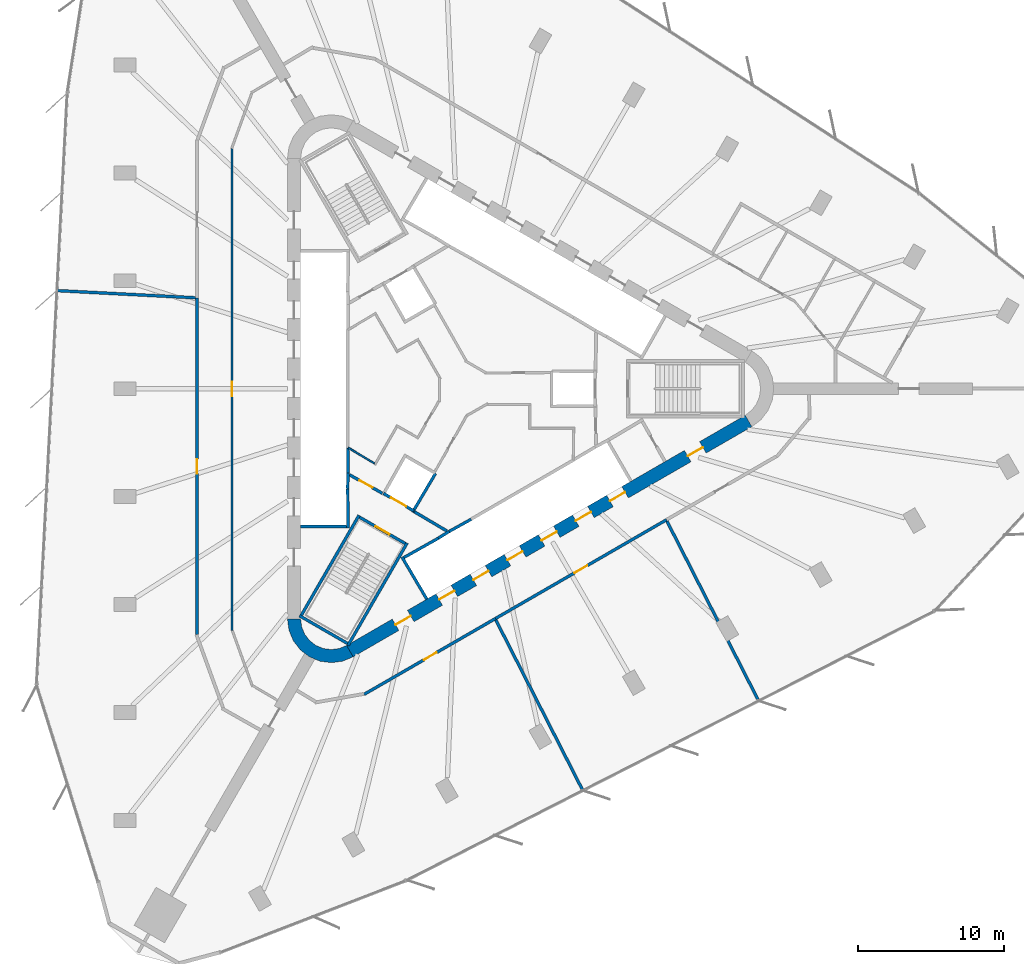
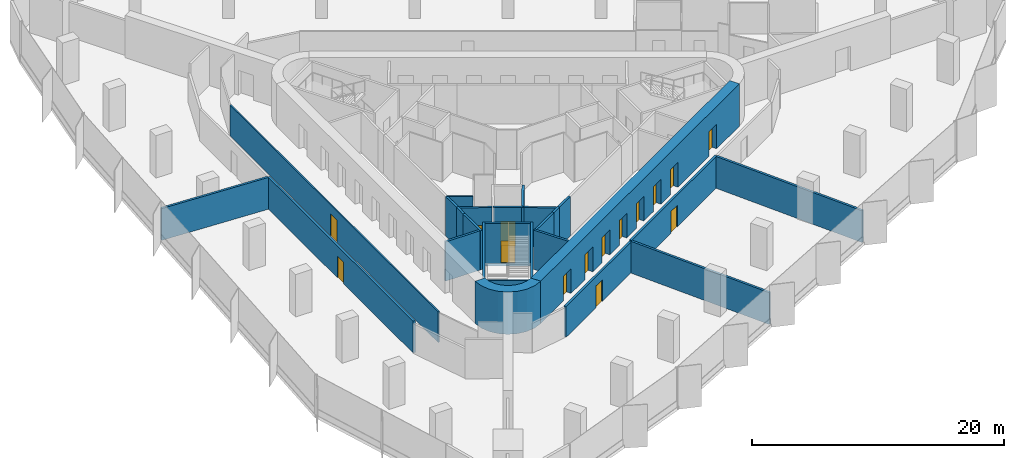
# One storey, part 9 of 14: 26 walls, 15 doors, 15 openings.
"""IFC4 building model written with IfcOpenShell, lengths in metres."""

from ifc_helpers import new_model, si_unit, direction, frame, frame_2d, origin, place, context, subcontext, project, spatial, polyline, rectangle, outline, extrude, material, layer, layer_set, type_object, element, fill, save


model = new_model("IFC4")

# Units and contexts
model_context = context("Model", 3, precision=1e-05, world=origin(), true_north=direction((0.0, 1.0)))
body_context = subcontext(model_context, "Body", "Model", "MODEL_VIEW")
ifc_project = project(units=[si_unit("LENGTHUNIT", "METRE"), si_unit("AREAUNIT", "SQUARE_METRE"), si_unit("VOLUMEUNIT", "CUBIC_METRE"), si_unit("PLANEANGLEUNIT", "RADIAN"), si_unit("MASSUNIT", "GRAM", prefix="KILO")], contexts=[model_context])

# Site, building, storey
site_placement = place(None, origin())
site = spatial("IfcSite", under=ifc_project, at=site_placement, CompositionType="ELEMENT")
building_placement = place(site_placement, origin())
building = spatial("IfcBuilding", under=site, at=building_placement, Name="Tanit Gate Tower", CompositionType="ELEMENT")
storey_placement = place(building_placement, frame((0.0, 0.0, 74.199951171875)))
storey = spatial("IfcBuildingStorey", under=building, at=storey_placement, Name="L14", CompositionType="ELEMENT", Elevation=74.199951171875)

# Wall, openings, doors
ifc_material_1 = material(Name="Concrete C60/75", Category="concrete")
ifc_layer_1 = layer(ifc_material_1, 0.89990234375)
ifc_layer_set_1 = layer_set([ifc_layer_1], Name="CORE WALL 900 C60/75")
wall_type_1 = type_object("IfcWallType", Name="CORE WALL 900 C60/75", PredefinedType="SHEAR", material=ifc_layer_set_1)
wall_1_placement = place(storey_placement, frame((-7.824951171875, -17.969970703125, 0.0), z_axis=(0.0, 0.0, 1.0), x_axis=(0.866028369851, 0.499994862586, 0.0)))
wall_1 = element("IfcWall", 1, at=wall_1_placement, inside=storey, type_object=wall_type_1, Name="CORE WALL", PredefinedType="SHEAR", context=body_context, shape_type="SweptSolid", body=[
    extrude(rectangle(XDim=31.523193359375, YDim=0.89990234375, at=frame_2d((15.76171875, 0.0))), origin(), (0.0, 0.0, 1.0), 4.10009765625),
])
opening_1_placement = place(wall_1_placement, frame((7.061767578125, 0.0, 0.0)))
opening_1 = element("IfcOpeningElement", 2, at=opening_1_placement, cuts=wall_1, Name="Opening LDSX1-S02", PredefinedType="OPENING", context=body_context, shape_type="SweptSolid", body=[
    extrude(rectangle(XDim=1.199951171875, YDim=2.39990234375, at=frame_2d((0.60009765625, 1.199951171875))), frame((0.0, 0.4599609375, 0.0), z_axis=(0.0, -1.0, 0.0), x_axis=(1.0, 0.0, 0.0)), (0.0, 0.0, 1.0), 0.919921875),
])
opening_2_placement = place(wall_1_placement, frame((9.76171875, 0.0, 0.0)))
opening_2 = element("IfcOpeningElement", 3, at=opening_2_placement, cuts=wall_1, Name="Opening LDSX2-S02", PredefinedType="OPENING", context=body_context, shape_type="SweptSolid", body=[
    extrude(rectangle(XDim=1.199951171875, YDim=2.39990234375, at=frame_2d((0.60009765625, 1.199951171875))), frame((0.0, 0.4599609375, 0.0), z_axis=(0.0, -1.0, 0.0), x_axis=(1.0, 0.0, 0.0)), (0.0, 0.0, 1.0), 0.919921875),
])
opening_3_placement = place(wall_1_placement, frame((12.461669921875, 0.0, 0.0)))
opening_3 = element("IfcOpeningElement", 4, at=opening_3_placement, cuts=wall_1, Name="Opening LDSX3-S02", PredefinedType="OPENING", context=body_context, shape_type="SweptSolid", body=[
    extrude(rectangle(XDim=1.199951171875, YDim=2.39990234375, at=frame_2d((0.60009765625, 1.199951171875))), frame((0.0, 0.4599609375, 0.0), z_axis=(0.0, -1.0, 0.0), x_axis=(1.0, 0.0, 0.0)), (0.0, 0.0, 1.0), 0.919921875),
])
opening_4_placement = place(wall_1_placement, frame((15.16162109375, 0.0, 0.0)))
opening_4 = element("IfcOpeningElement", 5, at=opening_4_placement, cuts=wall_1, Name="Opening LDSX4-S02", PredefinedType="OPENING", context=body_context, shape_type="SweptSolid", body=[
    extrude(rectangle(XDim=1.199951171875, YDim=2.39990234375, at=frame_2d((0.60009765625, 1.199951171875))), frame((0.0, 0.4599609375, 0.0), z_axis=(0.0, -1.0, 0.0), x_axis=(1.0, 0.0, 0.0)), (0.0, 0.0, 1.0), 0.919921875),
])
opening_5_placement = place(wall_1_placement, frame((17.861572265625, 0.0, 0.0)))
opening_5 = element("IfcOpeningElement", 6, at=opening_5_placement, cuts=wall_1, Name="Opening LDSV1-S02", PredefinedType="OPENING", context=body_context, shape_type="SweptSolid", body=[
    extrude(rectangle(XDim=1.199951171875, YDim=2.39990234375, at=frame_2d((0.60009765625, 1.199951171875))), frame((0.0, 0.4599609375, 0.0), z_axis=(0.0, -1.0, 0.0), x_axis=(1.0, 0.0, 0.0)), (0.0, 0.0, 1.0), 0.919921875),
])
opening_6_placement = place(wall_1_placement, frame((20.561767578125, 0.0, 0.0)))
opening_6 = element("IfcOpeningElement", 7, at=opening_6_placement, cuts=wall_1, Name="Opening LDSV2-S02", PredefinedType="OPENING", context=body_context, shape_type="SweptSolid", body=[
    extrude(rectangle(XDim=1.199951171875, YDim=2.39990234375, at=frame_2d((0.60009765625, 1.199951171875))), frame((0.0, 0.4599609375, 0.0), z_axis=(0.0, -1.0, 0.0), x_axis=(1.0, 0.0, 0.0)), (0.0, 0.0, 1.0), 0.919921875),
])
opening_7_placement = place(wall_1_placement, frame((26.711669921875, 0.0, 0.0)))
opening_7 = element("IfcOpeningElement", 8, at=opening_7_placement, cuts=wall_1, Name="Opening F12-S02-S1", PredefinedType="OPENING", context=body_context, shape_type="SweptSolid", body=[
    extrude(rectangle(XDim=1.199951171875, YDim=2.39990234375, at=frame_2d((0.60009765625, 1.199951171875))), frame((0.0, 0.4599609375, 0.0), z_axis=(0.0, -1.0, 0.0), x_axis=(1.0, 0.0, 0.0)), (0.0, 0.0, 1.0), 0.919921875),
])
opening_8_placement = place(wall_1_placement, frame((3.611572265625, 0.0, 0.0)))
opening_8 = element("IfcOpeningElement", 9, at=opening_8_placement, cuts=wall_1, Name="Opening F12-S02-FL3", PredefinedType="OPENING", context=body_context, shape_type="SweptSolid", body=[
    extrude(rectangle(XDim=1.199951171875, YDim=2.39990234375, at=frame_2d((0.60009765625, 1.199951171875))), frame((0.0, 0.4599609375, 0.0), z_axis=(0.0, -1.0, 0.0), x_axis=(1.0, 0.0, 0.0)), (0.0, 0.0, 1.0), 0.919921875),
])
ifc_material_2 = material(Name="Fire-rated steel door leaf", Category="steel")
door_type_1 = type_object("IfcDoorType", Name="INT-DOOR-FIRE-LOBBY-1200", OperationType="NOTDEFINED", PredefinedType="USERDEFINED", material=ifc_material_2)
door_1_placement = place(opening_7_placement, origin())
door_1 = element("IfcDoor", 10, at=door_1_placement, inside=storey, type_object=door_type_1, Name="Door F12-S02-S1", ObjectType="FIRE DOOR", OperationType="SINGLE_SWING_RIGHT", OverallHeight=2.39990234375, OverallWidth=1.199951171875, PredefinedType="USERDEFINED", context=body_context, shape_type="SweptSolid", body=[
    extrude(rectangle(XDim=1.199951171875, YDim=2.39990234375, at=frame_2d((0.60009765625, 1.199951171875))), frame((0.0, 0.02490234375, 0.0), z_axis=(0.0, -1.0, 0.0), x_axis=(1.0, 0.0, 0.0)), (0.0, 0.0, 1.0), 0.050048828125),
])
fill(opening_7, door_1)
door_2_placement = place(opening_8_placement, origin())
door_2 = element("IfcDoor", 11, at=door_2_placement, inside=storey, type_object=door_type_1, Name="Door F12-S02-FL3", ObjectType="FIRE DOOR", OperationType="SINGLE_SWING_LEFT", OverallHeight=2.39990234375, OverallWidth=1.199951171875, PredefinedType="USERDEFINED", context=body_context, shape_type="SweptSolid", body=[
    extrude(rectangle(XDim=1.199951171875, YDim=2.39990234375, at=frame_2d((0.60009765625, 1.199951171875))), frame((0.0, 0.02490234375, 0.0), z_axis=(0.0, -1.0, 0.0), x_axis=(1.0, 0.0, 0.0)), (0.0, 0.0, 1.0), 0.050048828125),
])
fill(opening_8, door_2)
ifc_material_3 = material(Name="Stainless steel sliding door leaf", Category="steel")
door_type_2 = type_object("IfcDoorType", Name="INT-DOOR-LANDING-1200", OperationType="NOTDEFINED", PredefinedType="USERDEFINED", material=ifc_material_3)
door_3_placement = place(opening_1_placement, origin())
door_3 = element("IfcDoor", 12, at=door_3_placement, inside=storey, type_object=door_type_2, Name="Door LDSX1-S02", ObjectType="LANDING DOOR", OperationType="SLIDING_TO_LEFT", OverallHeight=2.39990234375, OverallWidth=1.199951171875, PredefinedType="USERDEFINED", context=body_context, shape_type="SweptSolid", body=[
    extrude(rectangle(XDim=1.199951171875, YDim=2.39990234375, at=frame_2d((0.60009765625, 1.199951171875))), frame((0.0, 0.02490234375, 0.0), z_axis=(0.0, -1.0, 0.0), x_axis=(1.0, 0.0, 0.0)), (0.0, 0.0, 1.0), 0.050048828125),
])
fill(opening_1, door_3)
door_4_placement = place(opening_2_placement, origin())
door_4 = element("IfcDoor", 13, at=door_4_placement, inside=storey, type_object=door_type_2, Name="Door LDSX2-S02", ObjectType="LANDING DOOR", OperationType="SLIDING_TO_LEFT", OverallHeight=2.39990234375, OverallWidth=1.199951171875, PredefinedType="USERDEFINED", context=body_context, shape_type="SweptSolid", body=[
    extrude(rectangle(XDim=1.199951171875, YDim=2.39990234375, at=frame_2d((0.60009765625, 1.199951171875))), frame((0.0, 0.02490234375, 0.0), z_axis=(0.0, -1.0, 0.0), x_axis=(1.0, 0.0, 0.0)), (0.0, 0.0, 1.0), 0.050048828125),
])
fill(opening_2, door_4)
door_5_placement = place(opening_3_placement, origin())
door_5 = element("IfcDoor", 14, at=door_5_placement, inside=storey, type_object=door_type_2, Name="Door LDSX3-S02", ObjectType="LANDING DOOR", OperationType="SLIDING_TO_LEFT", OverallHeight=2.39990234375, OverallWidth=1.199951171875, PredefinedType="USERDEFINED", context=body_context, shape_type="SweptSolid", body=[
    extrude(rectangle(XDim=1.199951171875, YDim=2.39990234375, at=frame_2d((0.60009765625, 1.199951171875))), frame((0.0, 0.02490234375, 0.0), z_axis=(0.0, -1.0, 0.0), x_axis=(1.0, 0.0, 0.0)), (0.0, 0.0, 1.0), 0.050048828125),
])
fill(opening_3, door_5)
door_6_placement = place(opening_4_placement, origin())
door_6 = element("IfcDoor", 15, at=door_6_placement, inside=storey, type_object=door_type_2, Name="Door LDSX4-S02", ObjectType="LANDING DOOR", OperationType="SLIDING_TO_LEFT", OverallHeight=2.39990234375, OverallWidth=1.199951171875, PredefinedType="USERDEFINED", context=body_context, shape_type="SweptSolid", body=[
    extrude(rectangle(XDim=1.199951171875, YDim=2.39990234375, at=frame_2d((0.60009765625, 1.199951171875))), frame((0.0, 0.02490234375, 0.0), z_axis=(0.0, -1.0, 0.0), x_axis=(1.0, 0.0, 0.0)), (0.0, 0.0, 1.0), 0.050048828125),
])
fill(opening_4, door_6)
door_7_placement = place(opening_5_placement, origin())
door_7 = element("IfcDoor", 16, at=door_7_placement, inside=storey, type_object=door_type_2, Name="Door LDSV1-S02", ObjectType="LANDING DOOR", OperationType="SLIDING_TO_LEFT", OverallHeight=2.39990234375, OverallWidth=1.199951171875, PredefinedType="USERDEFINED", context=body_context, shape_type="SweptSolid", body=[
    extrude(rectangle(XDim=1.199951171875, YDim=2.39990234375, at=frame_2d((0.60009765625, 1.199951171875))), frame((0.0, 0.02490234375, 0.0), z_axis=(0.0, -1.0, 0.0), x_axis=(1.0, 0.0, 0.0)), (0.0, 0.0, 1.0), 0.050048828125),
])
fill(opening_5, door_7)
door_8_placement = place(opening_6_placement, origin())
door_8 = element("IfcDoor", 17, at=door_8_placement, inside=storey, type_object=door_type_2, Name="Door LDSV2-S02", ObjectType="LANDING DOOR", OperationType="SLIDING_TO_LEFT", OverallHeight=2.39990234375, OverallWidth=1.199951171875, PredefinedType="USERDEFINED", context=body_context, shape_type="SweptSolid", body=[
    extrude(rectangle(XDim=1.199951171875, YDim=2.39990234375, at=frame_2d((0.60009765625, 1.199951171875))), frame((0.0, 0.02490234375, 0.0), z_axis=(0.0, -1.0, 0.0), x_axis=(1.0, 0.0, 0.0)), (0.0, 0.0, 1.0), 0.050048828125),
])
fill(opening_6, door_8)

# Walls
wall_2_placement = place(storey_placement, origin())
element("IfcWall", 18, at=wall_2_placement, inside=storey, type_object=wall_type_1, Name="CORE WALL CORNER", PredefinedType="SHEAR", context=body_context, shape_type="SweptSolid", body=[
    extrude(outline(polyline([(-12.10009765625, -15.76171875), (-11.997802734375, -16.5380859375), (-11.697998046875, -17.26171875), (-11.22119140625, -17.883056640625), (-10.60009765625, -18.359619140625), (-9.87646484375, -18.659423828125), (-9.10009765625, -18.76171875), (-8.323486328125, -18.659423828125), (-7.60009765625, -18.359619140625), (-8.050048828125, -17.580322265625), (-8.556396484375, -17.7900390625), (-9.10009765625, -17.86181640625), (-9.6435546875, -17.7900390625), (-10.14990234375, -17.580322265625), (-10.5849609375, -17.24658203125), (-10.918701171875, -16.811767578125), (-11.12841796875, -16.30517578125), (-11.199951171875, -15.76171875), (-12.10009765625, -15.76171875)])), origin(), (0.0, 0.0, 1.0), 4.10009765625),
])
ifc_material_4 = material(Name="Fire-rated gypsum board partition")
ifc_layer_2 = layer(ifc_material_4, 0.199951171875)
ifc_layer_set_2 = layer_set([ifc_layer_2], Name="INT-WALL-COMPARTMENT")
wall_type_2 = type_object("IfcWallType", Name="INT-WALL-COMPARTMENT", PredefinedType="PARTITIONING", material=ifc_layer_set_2)
wall_3_placement = place(storey_placement, frame((-3.400634765625, -8.43017578125, 0.0), z_axis=(0.0, 0.0, 1.0), x_axis=(0.860615607571, -0.509255118781, 0.0)))
element("IfcWall", 19, at=wall_3_placement, inside=storey, type_object=wall_type_2, Name="Wall Compartment W063", PredefinedType="PARTITIONING", context=body_context, shape_type="SweptSolid", body=[
    extrude(rectangle(XDim=2.58056640625, YDim=0.199951171875, at=frame_2d((1.290283203125, 0.0))), origin(), (0.0, 0.0, 1.0), 3.800048828125),
])

# Wall, opening, door
wall_4_placement = place(storey_placement, frame((-7.849365234375, -5.893798828125, 0.0), z_axis=(0.0, 0.0, 1.0), x_axis=(0.871363259478, -0.490638431059, 0.0)))
wall_4 = element("IfcWall", 20, at=wall_4_placement, inside=storey, type_object=wall_type_2, Name="Wall Compartment W064", PredefinedType="PARTITIONING", context=body_context, shape_type="SweptSolid", body=[
    extrude(rectangle(XDim=2.5810546875, YDim=0.199951171875, at=frame_2d((1.29052734375, 0.0))), origin(), (0.0, 0.0, 1.0), 3.800048828125),
])
opening_9_placement = place(wall_4_placement, frame((0.79052734375, 0.0, 0.0)))
opening_9 = element("IfcOpeningElement", 21, at=opening_9_placement, cuts=wall_4, Name="Opening F10-S02-08", PredefinedType="OPENING", context=body_context, shape_type="SweptSolid", body=[
    extrude(rectangle(XDim=1.0, YDim=2.10009765625, at=frame_2d((0.5, 1.050048828125))), frame((0.0, 0.10986328125, 0.0), z_axis=(0.0, -1.0, 0.0), x_axis=(1.0, 0.0, 0.0)), (0.0, 0.0, 1.0), 0.219970703125),
])
ifc_material_5 = material(Name="Fire-rated steel door leaf", Category="steel")
door_type_3 = type_object("IfcDoorType", Name="INT-DOOR-FIRE-1000", OperationType="NOTDEFINED", PredefinedType="USERDEFINED", material=ifc_material_5)
door_9_placement = place(opening_9_placement, origin())
door_9 = element("IfcDoor", 22, at=door_9_placement, inside=storey, type_object=door_type_3, Name="Door F10-S02-08", ObjectType="FIRE DOOR", OperationType="SINGLE_SWING_LEFT", OverallHeight=2.10009765625, OverallWidth=1.0, PredefinedType="USERDEFINED", context=body_context, shape_type="SweptSolid", body=[
    extrude(rectangle(XDim=1.0, YDim=2.10009765625, at=frame_2d((0.5, 1.050048828125))), frame((0.0, 0.02490234375, 0.0), z_axis=(0.0, -1.0, 0.0), x_axis=(1.0, 0.0, 0.0)), (0.0, 0.0, 1.0), 0.050048828125),
])
fill(opening_9, door_9)

wall_5_placement = place(storey_placement, frame((-18.300048828125, 6.198974609375, 0.0), z_axis=(0.0, 0.0, 1.0), x_axis=(0.0, -1.0, 0.0)))
wall_5 = element("IfcWall", 23, at=wall_5_placement, inside=storey, type_object=wall_type_2, Name="Wall Compartment W090", PredefinedType="PARTITIONING", context=body_context, shape_type="SweptSolid", body=[
    extrude(rectangle(XDim=23.033203125, YDim=0.199951171875, at=frame_2d((11.5166015625, 0.0))), origin(), (0.0, 0.0, 1.0), 3.080078125),
])
opening_10_placement = place(wall_5_placement, frame((11.0166015625, 0.0, 0.0)))
opening_10 = element("IfcOpeningElement", 24, at=opening_10_placement, cuts=wall_5, Name="Opening F10-S02-19", PredefinedType="OPENING", context=body_context, shape_type="SweptSolid", body=[
    extrude(rectangle(XDim=1.0, YDim=2.10009765625, at=frame_2d((0.5, 1.050048828125))), frame((0.0, 0.10986328125, 0.0), z_axis=(0.0, -1.0, 0.0), x_axis=(1.0, 0.0, 0.0)), (0.0, 0.0, 1.0), 0.219970703125),
])
door_10_placement = place(opening_10_placement, origin())
door_10 = element("IfcDoor", 25, at=door_10_placement, inside=storey, type_object=door_type_3, Name="Door F10-S02-19", ObjectType="FIRE DOOR", OperationType="SINGLE_SWING_RIGHT", OverallHeight=2.10009765625, OverallWidth=1.0, PredefinedType="USERDEFINED", context=body_context, shape_type="SweptSolid", body=[
    extrude(rectangle(XDim=1.0, YDim=2.10009765625, at=frame_2d((0.5, 1.050048828125))), frame((0.0, 0.02490234375, 0.0), z_axis=(0.0, -1.0, 0.0), x_axis=(1.0, 0.0, 0.0)), (0.0, 0.0, 1.0), 0.050048828125),
])
fill(opening_10, door_10)

wall_6_placement = place(storey_placement, frame((-6.852294921875, -20.930419921875, 0.0), z_axis=(0.0, 0.0, 1.0), x_axis=(0.866021591072, 0.500006603753, 0.0)))
wall_6 = element("IfcWall", 26, at=wall_6_placement, inside=storey, type_object=wall_type_2, Name="Wall Compartment W106", PredefinedType="PARTITIONING", context=body_context, shape_type="SweptSolid", body=[
    extrude(rectangle(XDim=10.387451171875, YDim=0.199951171875, at=frame_2d((5.19384765625, 0.0))), origin(), (0.0, 0.0, 1.0), 2.97998046875),
])
opening_11_placement = place(wall_6_placement, frame((4.732421875, 0.0, 0.0)))
opening_11 = element("IfcOpeningElement", 27, at=opening_11_placement, cuts=wall_6, Name="Opening F10-S02-24", PredefinedType="OPENING", context=body_context, shape_type="SweptSolid", body=[
    extrude(rectangle(XDim=1.0, YDim=2.10009765625, at=frame_2d((0.5, 1.050048828125))), frame((0.0, 0.10986328125, 0.0), z_axis=(0.0, -1.0, 0.0), x_axis=(1.0, 0.0, 0.0)), (0.0, 0.0, 1.0), 0.219970703125),
])
door_11_placement = place(opening_11_placement, origin())
door_11 = element("IfcDoor", 28, at=door_11_placement, inside=storey, type_object=door_type_3, Name="Door F10-S02-24", ObjectType="FIRE DOOR", OperationType="SINGLE_SWING_RIGHT", OverallHeight=2.10009765625, OverallWidth=1.0, PredefinedType="USERDEFINED", context=body_context, shape_type="SweptSolid", body=[
    extrude(rectangle(XDim=1.0, YDim=2.10009765625, at=frame_2d((0.5, 1.050048828125))), frame((0.0, 0.02490234375, 0.0), z_axis=(0.0, -1.0, 0.0), x_axis=(1.0, 0.0, 0.0)), (0.0, 0.0, 1.0), 0.050048828125),
])
fill(opening_11, door_11)

wall_7_placement = place(storey_placement, frame((2.1435546875, -15.736572265625, 0.0), z_axis=(0.0, 0.0, 1.0), x_axis=(0.866019431537, 0.500010344094, 0.0)))
wall_7 = element("IfcWall", 29, at=wall_7_placement, inside=storey, type_object=wall_type_2, Name="Wall Compartment W105", PredefinedType="PARTITIONING", context=body_context, shape_type="SweptSolid", body=[
    extrude(rectangle(XDim=13.531494140625, YDim=0.199951171875, at=frame_2d((6.765625, 0.0))), origin(), (0.0, 0.0, 1.0), 3.080078125),
])
opening_12_placement = place(wall_7_placement, frame((6.25439453125, 0.0, 0.0)))
opening_12 = element("IfcOpeningElement", 30, at=opening_12_placement, cuts=wall_7, Name="Opening F10-S02-23", PredefinedType="OPENING", context=body_context, shape_type="SweptSolid", body=[
    extrude(rectangle(XDim=1.0, YDim=2.10009765625, at=frame_2d((0.5, 1.050048828125))), frame((0.0, 0.10986328125, 0.0), z_axis=(0.0, -1.0, 0.0), x_axis=(1.0, 0.0, 0.0)), (0.0, 0.0, 1.0), 0.219970703125),
])
door_12_placement = place(opening_12_placement, origin())
door_12 = element("IfcDoor", 31, at=door_12_placement, inside=storey, type_object=door_type_3, Name="Door F10-S02-23", ObjectType="FIRE DOOR", OperationType="SINGLE_SWING_RIGHT", OverallHeight=2.10009765625, OverallWidth=1.0, PredefinedType="USERDEFINED", context=body_context, shape_type="SweptSolid", body=[
    extrude(rectangle(XDim=1.0, YDim=2.10009765625, at=frame_2d((0.5, 1.050048828125))), frame((0.0, 0.02490234375, 0.0), z_axis=(0.0, -1.0, 0.0), x_axis=(1.0, 0.0, 0.0)), (0.0, 0.0, 1.0), 0.050048828125),
])
fill(opening_12, door_12)

# Walls
wall_8_placement = place(storey_placement, frame((-18.39990234375, 6.226806640625, 0.0), z_axis=(0.0, 0.0, 1.0), x_axis=(-0.998654739652, 0.051852781702, 0.0)))
element("IfcWall", 32, at=wall_8_placement, inside=storey, type_object=wall_type_2, Name="Wall Compartment W109", PredefinedType="PARTITIONING", context=body_context, shape_type="SweptSolid", body=[
    extrude(rectangle(XDim=9.491943359375, YDim=0.199951171875, at=frame_2d((4.74609375, 0.0))), origin(), (0.0, 0.0, 1.0), 3.080078125),
])
wall_9_placement = place(storey_placement, frame((13.887939453125, -9.0712890625, 0.0), z_axis=(0.0, 0.0, 1.0), x_axis=(0.454417909926, -0.890788618663, 0.0)))
element("IfcWall", 33, at=wall_9_placement, inside=storey, type_object=wall_type_2, Name="Wall Compartment W123", PredefinedType="PARTITIONING", context=body_context, shape_type="SweptSolid", body=[
    extrude(rectangle(XDim=13.79833984375, YDim=0.199951171875, at=frame_2d((6.899169921875, 0.0))), origin(), (0.0, 0.0, 1.0), 3.080078125),
])
wall_10_placement = place(storey_placement, frame((8.12060546875, -27.50341796875, 0.0), z_axis=(0.0, 0.0, 1.0), x_axis=(-0.454409665836, 0.890792824171, 0.0)))
element("IfcWall", 34, at=wall_10_placement, inside=storey, type_object=wall_type_2, Name="Wall Compartment W124", PredefinedType="PARTITIONING", context=body_context, shape_type="SweptSolid", body=[
    extrude(rectangle(XDim=13.096435546875, YDim=0.199951171875, at=frame_2d((6.54833984375, 0.0))), origin(), (0.0, 0.0, 1.0), 3.080078125),
])
ifc_material_6 = material(Name="Gypsum board partition")
ifc_layer_3 = layer(ifc_material_6, 0.1201171875)
ifc_layer_set_3 = layer_set([ifc_layer_3], Name="INT-WALL-PARTITION")
wall_type_3 = type_object("IfcWallType", Name="INT-WALL-PARTITION", PredefinedType="PARTITIONING", material=ifc_layer_set_3)
wall_11_placement = place(storey_placement, frame((-7.949951171875, -4.041015625, 0.0), z_axis=(0.0, 0.0, 1.0), x_axis=(0.860112457103, -0.510104461004, 0.0)))
element("IfcWall", 35, at=wall_11_placement, inside=storey, type_object=wall_type_3, Name="Wall Partition W082", PredefinedType="PARTITIONING", context=body_context, shape_type="SweptSolid", body=[
    extrude(rectangle(XDim=2.1044921875, YDim=0.1201171875, at=frame_2d((1.05224609375, 0.0))), origin(), (0.0, 0.0, 1.0), 3.800048828125),
])

# Wall, opening, door
wall_12_placement = place(storey_placement, frame((-15.89990234375, 16.451171875, 0.0), z_axis=(0.0, 0.0, 1.0), x_axis=(0.0, -1.0, 0.0)))
wall_12 = element("IfcWall", 36, at=wall_12_placement, inside=storey, type_object=wall_type_3, Name="Wall Partition W085", PredefinedType="PARTITIONING", context=body_context, shape_type="SweptSolid", body=[
    extrude(rectangle(XDim=33.022216796875, YDim=0.1201171875, at=frame_2d((16.51123046875, 0.0))), origin(), (0.0, 0.0, 1.0), 2.97998046875),
])
opening_13_placement = place(wall_12_placement, frame((15.981201171875, 0.0, 0.0)))
opening_13 = element("IfcOpeningElement", 37, at=opening_13_placement, cuts=wall_12, Name="Opening D10-S02-14", PredefinedType="OPENING", context=body_context, shape_type="SweptSolid", body=[
    extrude(rectangle(XDim=1.0, YDim=2.10009765625, at=frame_2d((0.5, 1.050048828125))), frame((0.0, 0.070068359375, 0.0), z_axis=(0.0, -1.0, 0.0), x_axis=(1.0, 0.0, 0.0)), (0.0, 0.0, 1.0), 0.14013671875),
])
ifc_material_7 = material(Name="Timber door leaf", Category="wood")
door_type_4 = type_object("IfcDoorType", Name="INT-DOOR-SINGLE-1000", OperationType="NOTDEFINED", PredefinedType="NOTDEFINED", material=ifc_material_7)
door_13_placement = place(opening_13_placement, origin())
door_13 = element("IfcDoor", 38, at=door_13_placement, inside=storey, type_object=door_type_4, Name="Door D10-S02-14", OperationType="SINGLE_SWING_RIGHT", OverallHeight=2.10009765625, OverallWidth=1.0, PredefinedType="NOTDEFINED", context=body_context, shape_type="SweptSolid", body=[
    extrude(rectangle(XDim=1.0, YDim=2.10009765625, at=frame_2d((0.5, 1.050048828125))), frame((0.0, 0.02490234375, 0.0), z_axis=(0.0, -1.0, 0.0), x_axis=(1.0, 0.0, 0.0)), (0.0, 0.0, 1.0), 0.050048828125),
])
fill(opening_13, door_13)

# Walls
ifc_material_8 = material(Name="Gypsum shaft wall system")
ifc_layer_4 = layer(ifc_material_8, 0.199951171875)
ifc_layer_set_4 = layer_set([ifc_layer_4], Name="INT-WALL-SHAFT")
wall_type_4 = type_object("IfcWallType", Name="INT-WALL-SHAFT", PredefinedType="PLUMBINGWALL", material=ifc_layer_set_4)
wall_13_placement = place(storey_placement, frame((-7.949951171875, -5.7724609375, 0.0), z_axis=(0.0, 0.0, 1.0), x_axis=(-0.030803413295, -0.999525462272, 0.0)))
element("IfcWall", 39, at=wall_13_placement, inside=storey, type_object=wall_type_4, Name="Wall Shaft W009", PredefinedType="PLUMBINGWALL", context=body_context, shape_type="SweptSolid", body=[
    extrude(rectangle(XDim=1.077880859375, YDim=0.199951171875, at=frame_2d((0.5390625, 0.0))), origin(), (0.0, 0.0, 1.0), 3.800048828125),
])
wall_14_placement = place(storey_placement, frame((-7.971435546875, -4.050048828125, 0.0), z_axis=(0.0, 0.0, 1.0), x_axis=(0.012042535896, -0.999927486035, 0.0)))
element("IfcWall", 40, at=wall_14_placement, inside=storey, type_object=wall_type_4, Name="Wall Shaft W010", PredefinedType="PLUMBINGWALL", context=body_context, shape_type="SweptSolid", body=[
    extrude(rectangle(XDim=1.844970703125, YDim=0.199951171875, at=frame_2d((0.92236328125, 0.0))), origin(), (0.0, 0.0, 1.0), 3.800048828125),
])
wall_15_placement = place(storey_placement, frame((-7.97900390625, -6.85009765625, 0.0), z_axis=(0.0, 0.0, 1.0), x_axis=(0.011121475088, -0.999938154483, 0.0)))
element("IfcWall", 41, at=wall_15_placement, inside=storey, type_object=wall_type_4, Name="Wall Shaft W011", PredefinedType="PLUMBINGWALL", context=body_context, shape_type="SweptSolid", body=[
    extrude(rectangle(XDim=2.7001953125, YDim=0.199951171875, at=frame_2d((1.35009765625, 0.0))), origin(), (0.0, 0.0, 1.0), 3.800048828125),
])
wall_16_placement = place(storey_placement, frame((-8.050048828125, -9.448974609375, 0.0), z_axis=(0.0, 0.0, 1.0), x_axis=(-0.999957467379, 0.009222983926, 0.0)))
element("IfcWall", 42, at=wall_16_placement, inside=storey, type_object=wall_type_4, Name="Wall Shaft W012", PredefinedType="PLUMBINGWALL", context=body_context, shape_type="SweptSolid", body=[
    extrude(rectangle(XDim=3.150146484375, YDim=0.199951171875, at=frame_2d((1.5751953125, 0.0))), origin(), (0.0, 0.0, 1.0), 3.800048828125),
])
wall_17_placement = place(storey_placement, frame((-2.557861328125, -14.409423828125, 0.0), z_axis=(0.0, 0.0, 1.0), x_axis=(-0.507997497166, 0.861358544901, 0.0)))
element("IfcWall", 43, at=wall_17_placement, inside=storey, type_object=wall_type_4, Name="Wall Shaft W027", PredefinedType="PLUMBINGWALL", context=body_context, shape_type="SweptSolid", body=[
    extrude(rectangle(XDim=3.350341796875, YDim=0.199951171875, at=frame_2d((1.67529296875, 0.0))), origin(), (0.0, 0.0, 1.0), 3.800048828125),
])
wall_18_placement = place(storey_placement, frame((-1.7685546875, -10.23681640625, 0.0), z_axis=(0.0, 0.0, 1.0), x_axis=(-0.871534483978, -0.490334215854, 0.0)))
element("IfcWall", 44, at=wall_18_placement, inside=storey, type_object=wall_type_4, Name="Wall Shaft W028", PredefinedType="PLUMBINGWALL", context=body_context, shape_type="SweptSolid", body=[
    extrude(rectangle(XDim=2.7001953125, YDim=0.199951171875, at=frame_2d((1.35009765625, 0.0))), origin(), (0.0, 0.0, 1.0), 3.800048828125),
])
wall_19_placement = place(storey_placement, frame((-1.02392578125, -9.77099609375, 0.0), z_axis=(0.0, 0.0, 1.0), x_axis=(-0.850348075135, -0.526220629693, 0.0)))
element("IfcWall", 45, at=wall_19_placement, inside=storey, type_object=wall_type_4, Name="Wall Shaft W029", PredefinedType="PLUMBINGWALL", context=body_context, shape_type="SweptSolid", body=[
    extrude(rectangle(XDim=0.878173828125, YDim=0.199951171875, at=frame_2d((0.43896484375, 0.0))), origin(), (0.0, 0.0, 1.0), 3.800048828125),
])
wall_20_placement = place(storey_placement, frame((-1.130126953125, -9.831298828125, 0.0), z_axis=(0.0, 0.0, 1.0), x_axis=(0.874269620932, 0.485440655401, 0.0)))
element("IfcWall", 46, at=wall_20_placement, inside=storey, type_object=wall_type_4, Name="Wall Shaft W030", PredefinedType="PLUMBINGWALL", context=body_context, shape_type="SweptSolid", body=[
    extrude(rectangle(XDim=1.8447265625, YDim=0.199951171875, at=frame_2d((0.92236328125, 0.0))), origin(), (0.0, 0.0, 1.0), 3.800048828125),
])

# Wall, opening, door
wall_21_placement = place(storey_placement, frame((-3.44580078125, -8.3681640625, 0.0), z_axis=(0.0, 0.0, 1.0), x_axis=(-0.866024647952, 0.500001309137, 0.0)))
wall_21 = element("IfcWall", 47, at=wall_21_placement, inside=storey, type_object=wall_type_4, Name="Wall Shaft W053", PredefinedType="PLUMBINGWALL", context=body_context, shape_type="SweptSolid", body=[
    extrude(rectangle(XDim=2.39990234375, YDim=0.199951171875, at=frame_2d((1.199951171875, 0.0))), origin(), (0.0, 0.0, 1.0), 3.800048828125),
])
opening_14_placement = place(wall_21_placement, frame((0.60009765625, 0.0, 0.0)))
opening_14 = element("IfcOpeningElement", 48, at=opening_14_placement, cuts=wall_21, Name="Opening LDFL3-L14", PredefinedType="OPENING", context=body_context, shape_type="SweptSolid", body=[
    extrude(rectangle(XDim=1.199951171875, YDim=2.39990234375, at=frame_2d((0.60009765625, 1.199951171875))), frame((0.0, 0.10986328125, 0.0), z_axis=(0.0, -1.0, 0.0), x_axis=(1.0, 0.0, 0.0)), (0.0, 0.0, 1.0), 0.219970703125),
])
door_14_placement = place(opening_14_placement, origin())
door_14 = element("IfcDoor", 49, at=door_14_placement, inside=storey, type_object=door_type_2, Name="Door LDFL3-L14", ObjectType="LANDING DOOR", OperationType="SLIDING_TO_LEFT", OverallHeight=2.39990234375, OverallWidth=1.199951171875, PredefinedType="USERDEFINED", context=body_context, shape_type="SweptSolid", body=[
    extrude(rectangle(XDim=1.199951171875, YDim=2.39990234375, at=frame_2d((0.60009765625, 1.199951171875))), frame((0.0, 0.02490234375, 0.0), z_axis=(0.0, -1.0, 0.0), x_axis=(1.0, 0.0, 0.0)), (0.0, 0.0, 1.0), 0.050048828125),
])
fill(opening_14, door_14)

# Walls
wall_22_placement = place(storey_placement, frame((-1.960693359375, -5.796142578125, 0.0), z_axis=(0.0, 0.0, 1.0), x_axis=(-0.508647062354, -0.860975125052, 0.0)))
element("IfcWall", 50, at=wall_22_placement, inside=storey, type_object=wall_type_4, Name="Wall Shaft W054", PredefinedType="PLUMBINGWALL", context=body_context, shape_type="SweptSolid", body=[
    extrude(rectangle(XDim=3.10009765625, YDim=0.199951171875, at=frame_2d((1.550048828125, 0.0))), origin(), (0.0, 0.0, 1.0), 3.800048828125),
])
ifc_material_9 = material(Name="Concrete C40/50", Category="concrete")
ifc_layer_5 = layer(ifc_material_9, 0.199951171875)
ifc_layer_set_5 = layer_set([ifc_layer_5], Name="INT-WALL-STAIR")
wall_type_5 = type_object("IfcWallType", Name="INT-WALL-STAIR", PredefinedType="SHEAR", material=ifc_layer_set_5)
wall_23_placement = place(storey_placement, frame((-3.904541015625, -10.56298828125, -0.300048828125), z_axis=(0.0, 0.0, 1.0), x_axis=(-0.500012932018, -0.866017937352, 0.0)))
element("IfcWall", 51, at=wall_23_placement, inside=storey, type_object=wall_type_5, Name="Wall Stair W049", PredefinedType="SHEAR", context=body_context, shape_type="SweptSolid", body=[
    extrude(rectangle(XDim=8.099853515625, YDim=0.199951171875, at=frame_2d((4.0498046875, 0.0))), origin(), (0.0, 0.0, 1.0), 4.10009765625),
])
wall_24_placement = place(storey_placement, frame((-11.281982421875, -15.541015625, -0.300048828125), z_axis=(0.0, 0.0, 1.0), x_axis=(0.866000483506, -0.500043160704, 0.0)))
element("IfcWall", 52, at=wall_24_placement, inside=storey, type_object=wall_type_5, Name="Wall Stair W050", PredefinedType="SHEAR", context=body_context, shape_type="SweptSolid", body=[
    extrude(rectangle(XDim=3.800048828125, YDim=0.199951171875, at=frame_2d((1.89990234375, 0.0))), origin(), (0.0, 0.0, 1.0), 4.10009765625),
])
wall_25_placement = place(storey_placement, frame((-7.195556640625, -8.662841796875, -0.300048828125), z_axis=(0.0, 0.0, 1.0), x_axis=(-0.499997992926, -0.866026562566, 0.0)))
element("IfcWall", 53, at=wall_25_placement, inside=storey, type_object=wall_type_5, Name="Wall Stair W051", PredefinedType="SHEAR", context=body_context, shape_type="SweptSolid", body=[
    extrude(rectangle(XDim=7.89990234375, YDim=0.199951171875, at=frame_2d((3.949951171875, 0.0))), origin(), (0.0, 0.0, 1.0), 4.10009765625),
])

# Wall, opening, door
wall_26_placement = place(storey_placement, frame((-4.041259765625, -10.599365234375, -0.300048828125), z_axis=(0.0, 0.0, 1.0), x_axis=(-0.866047807691, 0.499961193289, 0.0)))
wall_26 = element("IfcWall", 54, at=wall_26_placement, inside=storey, type_object=wall_type_5, Name="Wall Stair W052", PredefinedType="SHEAR", context=body_context, shape_type="SweptSolid", body=[
    extrude(rectangle(XDim=3.599853515625, YDim=0.199951171875, at=frame_2d((1.7998046875, 0.0))), origin(), (0.0, 0.0, 1.0), 4.10009765625),
])
opening_15_placement = place(wall_26_placement, frame((1.25, 0.0, 0.300048828125)))
opening_15 = element("IfcOpeningElement", 55, at=opening_15_placement, cuts=wall_26, Name="Opening S11-S02-07", PredefinedType="OPENING", context=body_context, shape_type="SweptSolid", body=[
    extrude(rectangle(XDim=1.10009765625, YDim=2.10009765625, at=frame_2d((0.550048828125, 1.050048828125))), frame((0.0, 0.10986328125, 0.0), z_axis=(0.0, -1.0, 0.0), x_axis=(1.0, 0.0, 0.0)), (0.0, 0.0, 1.0), 0.219970703125),
])
ifc_material_10 = material(Name="Timber door leaf", Category="wood")
door_type_5 = type_object("IfcDoorType", Name="INT-DOOR-STAIR-1100", OperationType="NOTDEFINED", PredefinedType="USERDEFINED", material=ifc_material_10)
door_15_placement = place(opening_15_placement, origin())
door_15 = element("IfcDoor", 56, at=door_15_placement, inside=storey, type_object=door_type_5, Name="Door S11-S02-07", ObjectType="FIRE DOOR", OperationType="SINGLE_SWING_LEFT", OverallHeight=2.10009765625, OverallWidth=1.10009765625, PredefinedType="USERDEFINED", context=body_context, shape_type="SweptSolid", body=[
    extrude(rectangle(XDim=1.10009765625, YDim=2.10009765625, at=frame_2d((0.550048828125, 1.050048828125))), frame((0.0, 0.02490234375, 0.0), z_axis=(0.0, -1.0, 0.0), x_axis=(1.0, 0.0, 0.0)), (0.0, 0.0, 1.0), 0.050048828125),
])
fill(opening_15, door_15)

save(model, "model.ifc")
